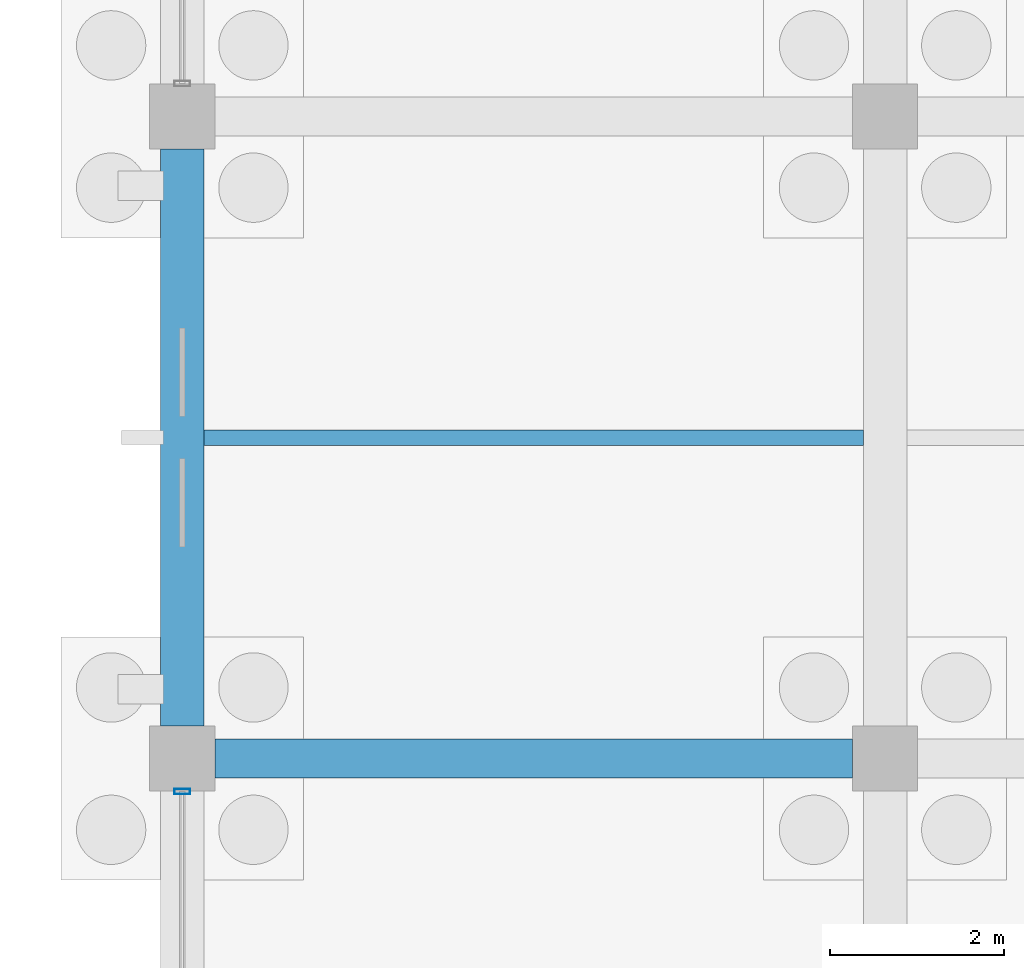
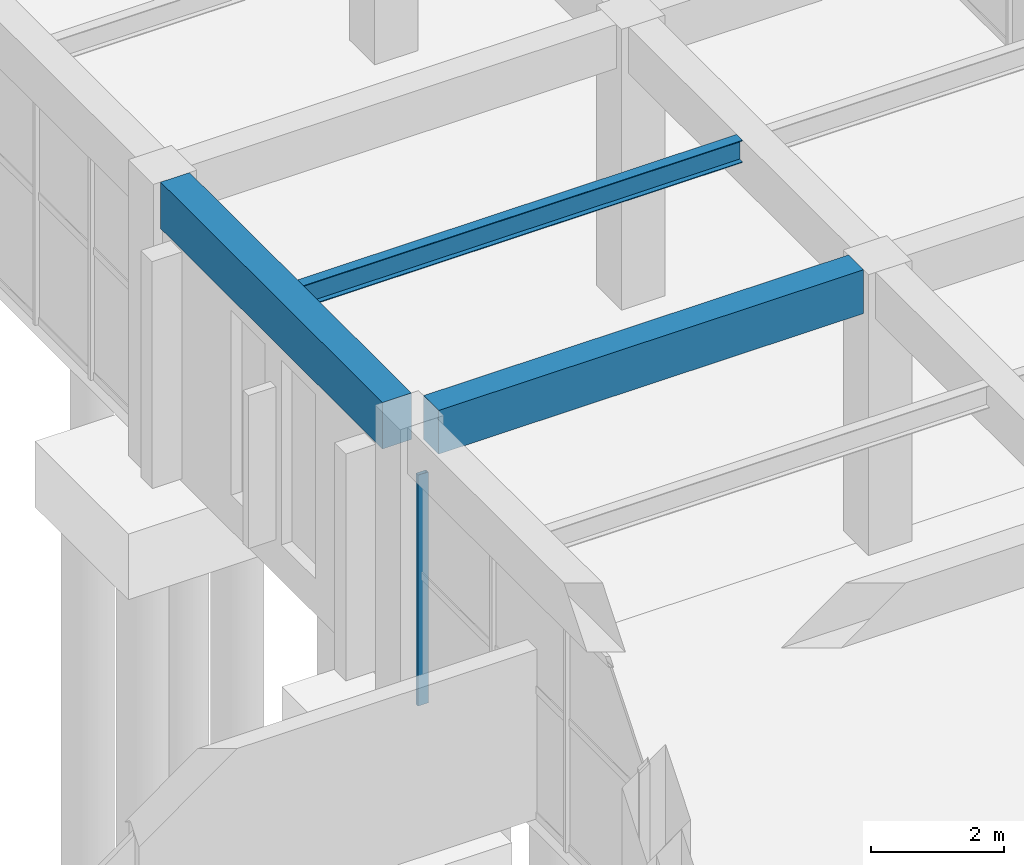
# One storey, part 61 of 140: 3 beams, 1 member, 1 element without a shape of its own.
"""IFC4 building model written with IfcOpenShell, lengths in metres."""

from ifc_helpers import new_model, si_unit, direction, frame, origin, origin_2d, place, context, subcontext, project, spatial, rectangle, hollow_rectangle, i_section, extrude, material, material_profile, profile_set, type_object, element, aggregate, save


model = new_model("IFC4")

# Units and contexts
model_context = context("Model", 3, precision=1e-05, world=origin(), true_north=direction((0.0, 1.0)))
body_context = subcontext(model_context, "Body", "Model", "MODEL_VIEW")
ifc_project = project(units=[si_unit("LENGTHUNIT", "METRE"), si_unit("AREAUNIT", "SQUARE_METRE"), si_unit("VOLUMEUNIT", "CUBIC_METRE"), si_unit("PLANEANGLEUNIT", "RADIAN"), si_unit("MASSUNIT", "GRAM", prefix="KILO")], contexts=[model_context])

# Site, building, storey
site_placement = place(None, origin())
site = spatial("IfcSite", under=ifc_project, at=site_placement, CompositionType="ELEMENT")
building_placement = place(site_placement, origin())
building = spatial("IfcBuilding", under=site, at=building_placement, Name="Cimatlan Art Gallery", CompositionType="ELEMENT")
storey_placement = place(building_placement, origin())
storey = spatial("IfcBuildingStorey", under=building, at=storey_placement, Name="L00", CompositionType="ELEMENT", Elevation=0.0)

# Beams
ifc_material_1 = material(Name="Concrete C40/50", Category="concrete")
ifc_material_profile_1 = material_profile(ifc_material_1, rectangle(XDim=0.449951171875, YDim=0.800048828125, at=origin_2d()), Name="RC450X800")
ifc_profile_set_1 = profile_set([ifc_material_profile_1], Name="Concrete C40/50")
beam_type_1 = type_object("IfcBeamType", Name="BM-RC-450X800", PredefinedType="BEAM", material=ifc_profile_set_1)
beam_1_placement = place(storey_placement, frame((34.77490234375, 75.699951171875, 4.735107421875), z_axis=(1.0, 0.0, 0.0), x_axis=(0.0, 1.0, 0.0)))
element("IfcBeam", 1, at=beam_1_placement, inside=storey, type_object=beam_type_1, Name="BM-X-L00-04-10", PredefinedType="BEAM", context=body_context, shape_type="SweptSolid", body=[
    extrude(rectangle(XDim=0.449951171875, YDim=0.800048828125, at=origin_2d()), origin(), (0.0, 0.0, 1.0), 7.35009765625),
])
ifc_material_profile_2 = material_profile(ifc_material_1, rectangle(XDim=0.5, YDim=0.85009765625, at=origin_2d()), Name="RC500X850")
ifc_profile_set_2 = profile_set([ifc_material_profile_2], Name="Concrete C40/50")
beam_type_2 = type_object("IfcBeamType", Name="BM-RC-500X850", PredefinedType="BEAM", material=ifc_profile_set_2)
beam_2_placement = place(storey_placement, frame((34.39990234375, 76.074951171875, 4.7099609375), z_axis=(0.0, 1.0, 0.0), x_axis=(-1.0, 0.0, 0.0)))
element("IfcBeam", 2, at=beam_2_placement, inside=storey, type_object=beam_type_2, Name="BM-Y-L00-04-10", PredefinedType="BEAM", context=body_context, shape_type="SweptSolid", body=[
    extrude(rectangle(XDim=0.5, YDim=0.85009765625, at=origin_2d()), origin(), (0.0, 0.0, 1.0), 6.650146484375),
])
ifc_material_2 = material(Name="Steel ASTM A992 Grade 50", Category="steel")
ifc_material_profile_3 = material_profile(ifc_material_2, i_section(OverallWidth=0.177978515625, OverallDepth=0.406982421875, WebThickness=0.0078125, FlangeThickness=0.0126953125, at=origin_2d()), Name="W16X40")
ifc_profile_set_3 = profile_set([ifc_material_profile_3], Name="Steel ASTM A992 Grade 50")
beam_type_3 = type_object("IfcBeamType", Name="BM-STL-W16X40", PredefinedType="JOIST", material=ifc_profile_set_3)
beam_3_placement = place(storey_placement, frame((34.64990234375, 79.39990234375, 4.931396484375), z_axis=(1.0, 0.0, 0.0), x_axis=(0.0, 1.0, 0.0)))
element("IfcBeam", 3, at=beam_3_placement, inside=storey, type_object=beam_type_3, Name="JST-L00-04-10", PredefinedType="JOIST", context=body_context, shape_type="SweptSolid", body=[
    extrude(i_section(OverallWidth=0.177978515625, OverallDepth=0.406982421875, WebThickness=0.0078125, FlangeThickness=0.0126953125, at=origin_2d()), origin(), (0.0, 0.0, 1.0), 7.60009765625),
])

# Curtain wall, member
ifc_material_3 = material(Name="Anodised bronze unitised curtain wall")
curtain_wall_type = type_object("IfcCurtainWallType", Name="CW-V-06642X04225-B3", PredefinedType="NOTDEFINED", material=ifc_material_3)
curtain_wall_placement = place(storey_placement, origin())
curtain_wall = element("IfcCurtainWall", 4, at=curtain_wall_placement, inside=storey, type_object=curtain_wall_type, Name="CW-L00-04-09-W", PredefinedType="NOTDEFINED")
ifc_material_4 = material(Name="Anodised bronze aluminium 6063-T6", Category="aluminium")
ifc_material_profile_4 = material_profile(ifc_material_4, hollow_rectangle(XDim=0.06494140625, YDim=0.179931640625, WallThickness=0.00390625, at=origin_2d()), Name="ALU65X180X4")
ifc_profile_set_4 = profile_set([ifc_material_profile_4], Name="Anodised bronze aluminium 6063-T6")
member_type = type_object("IfcMemberType", Name="CW-MUL-180", PredefinedType="MULLION", material=ifc_profile_set_4)
member_placement = place(storey_placement, frame((34.39990234375, 75.321044921875, 0.0), z_axis=(0.0, 0.0, 1.0), x_axis=(0.0, 1.0, 0.0)))
member = element("IfcMember", 5, at=member_placement, type_object=member_type, Name="CW-L00-04-09-W-M4", PredefinedType="MULLION", context=body_context, shape_type="SweptSolid", body=[
    extrude(hollow_rectangle(XDim=0.06494140625, YDim=0.179931640625, WallThickness=0.00390625, at=origin_2d()), origin(), (0.0, 0.0, 1.0), 4.22509765625),
])
aggregate(curtain_wall, [member])

save(model, "model.ifc")
